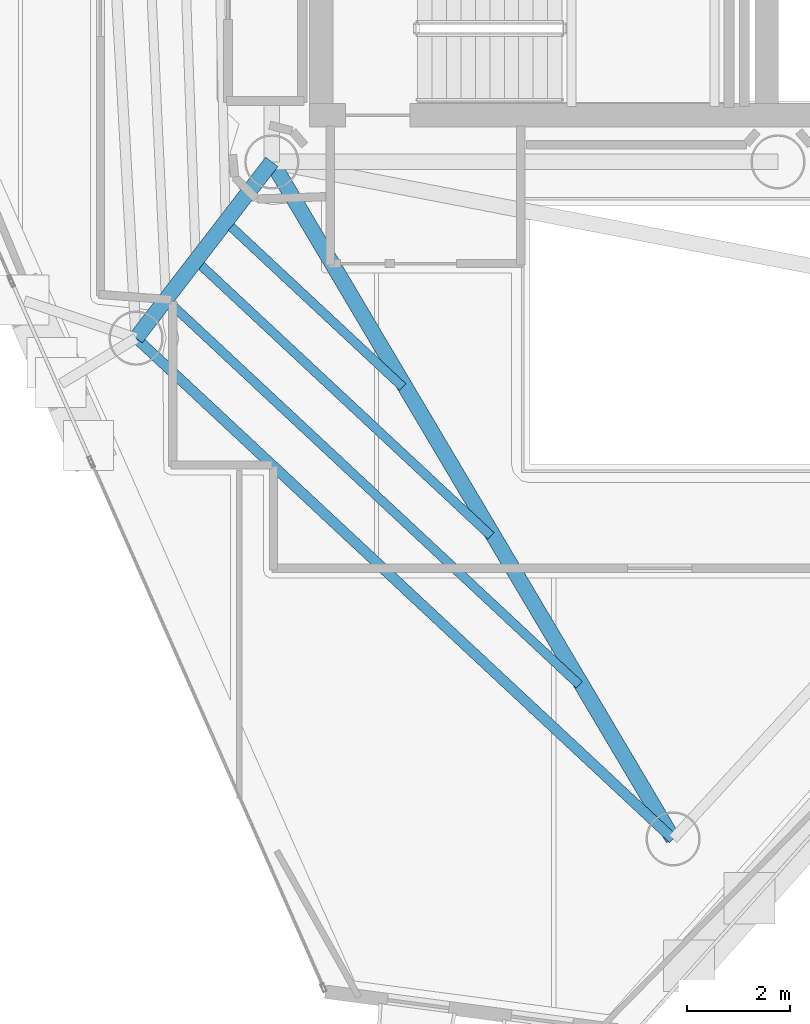
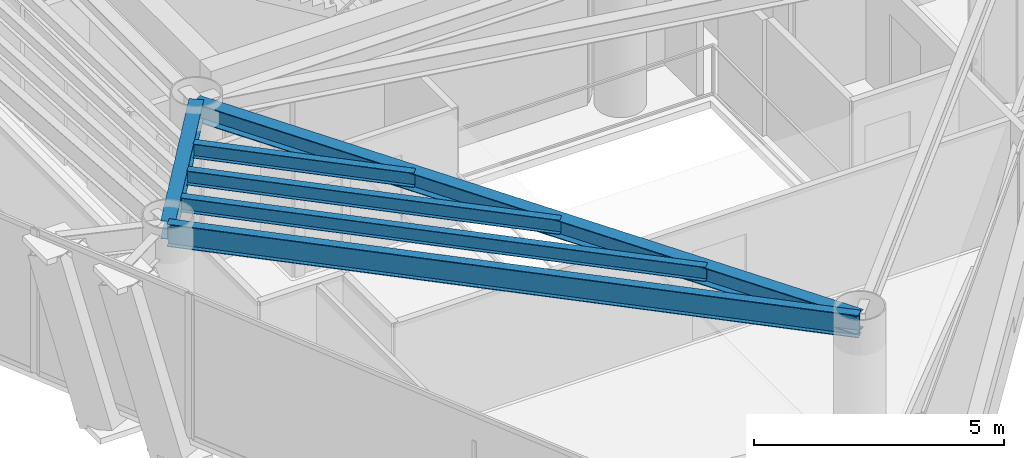
# One storey, part 3 of 21: 6 beams.
"""IFC4 building model written with IfcOpenShell, lengths in metres."""

from ifc_helpers import new_model, si_unit, direction, frame, origin, origin_2d, place, context, subcontext, project, spatial, i_section, extrude, material, material_profile, profile_set, type_object, element, save


model = new_model("IFC4")

# Units and contexts
model_context = context("Model", 3, precision=1e-05, world=origin(), true_north=direction((0.0, 1.0)))
body_context = subcontext(model_context, "Body", "Model", "MODEL_VIEW")
ifc_project = project(units=[si_unit("LENGTHUNIT", "METRE"), si_unit("AREAUNIT", "SQUARE_METRE"), si_unit("VOLUMEUNIT", "CUBIC_METRE"), si_unit("PLANEANGLEUNIT", "RADIAN"), si_unit("MASSUNIT", "GRAM", prefix="KILO")], contexts=[model_context])

# Site, building, storey
site_placement = place(None, origin())
site = spatial("IfcSite", under=ifc_project, at=site_placement, CompositionType="ELEMENT")
building_placement = place(site_placement, origin())
building = spatial("IfcBuilding", under=site, at=building_placement, Name="Qianvela Tower", CompositionType="ELEMENT")
storey_placement = place(building_placement, frame((0.0, 0.0, 250.10009765625)))
storey = spatial("IfcBuildingStorey", under=building, at=storey_placement, Name="L64", CompositionType="ELEMENT", Elevation=250.10009765625)

# Beams
ifc_material_1 = material(Name="Steel Q355B", Category="steel")
ifc_material_profile_1 = material_profile(ifc_material_1, i_section(OverallWidth=0.300048828125, OverallDepth=0.43994140625, WebThickness=0.010986328125, FlangeThickness=0.01806640625, at=origin_2d()), Name="HM440x300x11x18")
ifc_profile_set_1 = profile_set([ifc_material_profile_1], Name="Steel Q355B")
beam_type_1 = type_object("IfcBeamType", Name="BM-HM440-COLL", PredefinedType="BEAM", material=ifc_profile_set_1)
beam_1_placement = place(storey_placement, frame((28.60009765625, 23.85009765625, 3.2978515625), z_axis=(-0.610107831638, -0.792318391667, 0.0), x_axis=(0.792318391667, -0.610107831638, 0.0)))
element("IfcBeam", 1, at=beam_1_placement, inside=storey, type_object=beam_type_1, Name="L64 Radial Primary Floor Girder 4", PredefinedType="BEAM", context=body_context, shape_type="SweptSolid", body=[
    extrude(i_section(OverallWidth=0.300048828125, OverallDepth=0.43994140625, WebThickness=0.010986328125, FlangeThickness=0.01806640625, at=origin_2d()), origin(), (0.0, 0.0, 1.0), 4.3076171875),
])
beam_2_placement = place(storey_placement, frame((28.60009765625, 23.85009765625, 3.2978515625), z_axis=(0.509851140096, -0.860262643001, 0.0), x_axis=(0.860262643001, 0.509851140096, 0.0)))
element("IfcBeam", 2, at=beam_2_placement, inside=storey, type_object=beam_type_1, Name="L64 Radial Primary Floor Girder 5", PredefinedType="BEAM", context=body_context, shape_type="SweptSolid", body=[
    extrude(i_section(OverallWidth=0.300048828125, OverallDepth=0.43994140625, WebThickness=0.010986328125, FlangeThickness=0.01806640625, at=origin_2d()), origin(), (0.0, 0.0, 1.0), 15.2373046875),
])
ifc_material_2 = material(Name="Steel Q355B", Category="steel")
ifc_material_profile_2 = material_profile(ifc_material_2, i_section(OverallWidth=0.175048828125, OverallDepth=0.35009765625, WebThickness=0.007080078125, FlangeThickness=0.010986328125, at=origin_2d()), Name="HN350x175x7x11")
ifc_profile_set_2 = profile_set([ifc_material_profile_2], Name="Steel Q355B")
beam_type_2 = type_object("IfcBeamType", Name="BM-HN350-JOIST", PredefinedType="JOIST", material=ifc_profile_set_2)
beam_3_placement = place(storey_placement, frame((27.813232421875, 22.590087890625, 3.343017578125), z_axis=(0.731376968526, -0.681973408506, 0.0), x_axis=(0.681973408506, 0.731376968526, 0.0)))
element("IfcBeam", 3, at=beam_3_placement, inside=storey, type_object=beam_type_2, Name="L64 Secondary Composite Floor Joist 4.1", PredefinedType="JOIST", context=body_context, shape_type="SweptSolid", body=[
    extrude(i_section(OverallWidth=0.175048828125, OverallDepth=0.35009765625, WebThickness=0.007080078125, FlangeThickness=0.010986328125, at=origin_2d()), origin(), (0.0, 0.0, 1.0), 4.54150390625),
])
beam_4_placement = place(storey_placement, frame((27.235107421875, 21.839111328125, 3.343017578125), z_axis=(0.731379132366, -0.681971087906, 0.0), x_axis=(0.681971087906, 0.731379132366, 0.0)))
element("IfcBeam", 4, at=beam_4_placement, inside=storey, type_object=beam_type_2, Name="L64 Secondary Composite Floor Joist 4.2", PredefinedType="JOIST", context=body_context, shape_type="SweptSolid", body=[
    extrude(i_section(OverallWidth=0.175048828125, OverallDepth=0.35009765625, WebThickness=0.007080078125, FlangeThickness=0.010986328125, at=origin_2d()), origin(), (0.0, 0.0, 1.0), 7.6689453125),
])
beam_5_placement = place(storey_placement, frame((26.656982421875, 21.08837890625, 3.343017578125), z_axis=(0.731358246127, -0.681993486641, 0.0), x_axis=(0.681993486641, 0.731358246127, 0.0)))
element("IfcBeam", 5, at=beam_5_placement, inside=storey, type_object=beam_type_2, Name="L64 Secondary Composite Floor Joist 4.3", PredefinedType="JOIST", context=body_context, shape_type="SweptSolid", body=[
    extrude(i_section(OverallWidth=0.175048828125, OverallDepth=0.35009765625, WebThickness=0.007080078125, FlangeThickness=0.010986328125, at=origin_2d()), origin(), (0.0, 0.0, 1.0), 10.79638671875),
])
ifc_material_3 = material(Name="Steel Q355B", Category="steel")
ifc_material_profile_3 = material_profile(ifc_material_3, i_section(OverallWidth=0.199951171875, OverallDepth=0.550048828125, WebThickness=0.010009765625, FlangeThickness=0.01611328125, at=origin_2d()), Name="HN550x200x10x16")
ifc_profile_set_3 = profile_set([ifc_material_profile_3], Name="Steel Q355B")
beam_type_3 = type_object("IfcBeamType", Name="BM-HN550-GIRD", PredefinedType="BEAM", material=ifc_profile_set_3)
beam_6_placement = place(storey_placement, frame((25.971923828125, 20.43701171875, 3.242919921875), z_axis=(0.731363016694, -0.681988370731, 0.0), x_axis=(0.681988370731, 0.731363016694, 0.0)))
element("IfcBeam", 6, at=beam_6_placement, inside=storey, type_object=beam_type_3, Name="L64 Perimeter Ring Spandrel Girder 4", PredefinedType="BEAM", context=body_context, shape_type="SweptSolid", body=[
    extrude(i_section(OverallWidth=0.199951171875, OverallDepth=0.550048828125, WebThickness=0.010009765625, FlangeThickness=0.01611328125, at=origin_2d()), origin(), (0.0, 0.0, 1.0), 14.2158203125),
])

save(model, "model.ifc")
